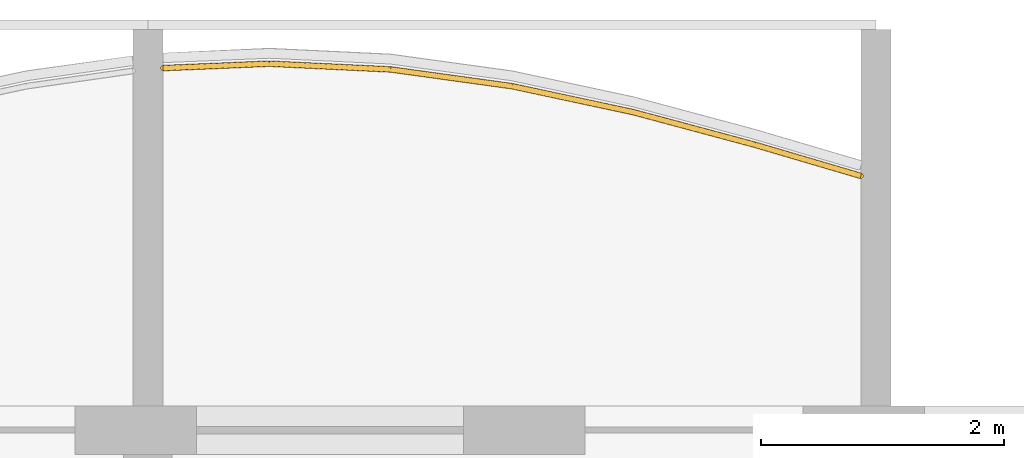
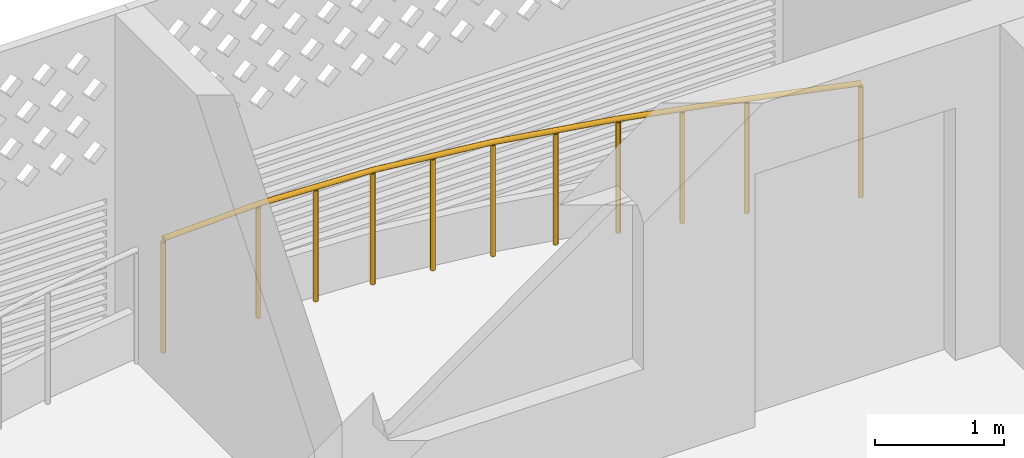
# One storey, part 22 of 40: 1 railing.
"""IFC4 building model written with IfcOpenShell, lengths in metres."""

from ifc_helpers import new_model, si_unit, direction, frame, origin, origin_2d, place, context, subcontext, project, spatial, circle, extrude, material, type_object, element, save


model = new_model("IFC4")

# Units and contexts
model_context = context("Model", 3, precision=1e-05, world=origin(), true_north=direction((0.0, 1.0)))
body_context = subcontext(model_context, "Body", "Model", "MODEL_VIEW")
ifc_project = project(units=[si_unit("LENGTHUNIT", "METRE"), si_unit("AREAUNIT", "SQUARE_METRE"), si_unit("VOLUMEUNIT", "CUBIC_METRE"), si_unit("PLANEANGLEUNIT", "RADIAN"), si_unit("MASSUNIT", "GRAM", prefix="KILO")], contexts=[model_context])

# Site, building, storey
site_placement = place(None, origin())
site = spatial("IfcSite", under=ifc_project, at=site_placement, CompositionType="ELEMENT")
building_placement = place(site_placement, origin())
building = spatial("IfcBuilding", under=site, at=building_placement, Name="Poui Terraces", CompositionType="ELEMENT")
storey_placement = place(building_placement, frame((0.0, 0.0, 33.300048828125)))
storey = spatial("IfcBuildingStorey", under=building, at=storey_placement, Name="L08", CompositionType="ELEMENT", Elevation=33.300048828125)

# Railing
ifc_material = material(Name="Painted steel fretwork", Category="steel")
railing_type = type_object("IfcRailingType", Name="BALCONY GUARD 1100", PredefinedType="GUARDRAIL", material=ifc_material)
railing_placement = place(storey_placement, frame((12.125, 47.783447265625, 0.0)))
element("IfcRailing", 1, at=railing_placement, inside=storey, type_object=railing_type, Name="BALCONY GUARD", PredefinedType="GUARDRAIL", context=body_context, shape_type="SweptSolid", body=[
    extrude(circle(Radius=0.02392578125, at=origin_2d()), frame((0.0, 0.0, 1.076171875), z_axis=(0.999125325571, 0.041816071104, 0.0), x_axis=(-0.041816071104, 0.999125325571, 0.0)), (0.0, 0.0, 1.0), 0.875732421875),
    extrude(circle(Radius=0.02392578125, at=origin_2d()), frame((0.875, 0.03662109375, 1.076171875), z_axis=(0.998868689387, -0.047553563093, 0.0), x_axis=(0.047553563093, 0.998868689387, 0.0)), (0.0, 0.0, 1.0), 1.001220703125),
    extrude(circle(Radius=0.02392578125, at=origin_2d()), frame((1.875, -0.010986328125, 1.076171875), z_axis=(0.990620000385, -0.136645581108, 0.0), x_axis=(0.136645581108, 0.990620000385, 0.0)), (0.0, 0.0, 1.0), 1.009521484375),
    extrude(circle(Radius=0.02392578125, at=origin_2d()), frame((2.875, -0.14892578125, 1.076171875), z_axis=(0.977837336556, -0.20936605082, 0.0), x_axis=(0.20936605082, 0.977837336556, 0.0)), (0.0, 0.0, 1.0), 1.022705078125),
    extrude(circle(Radius=0.02392578125, at=origin_2d()), frame((3.875, -0.363037109375, 1.076171875), z_axis=(0.965897516379, -0.258924676022, 0.0), x_axis=(0.258924676022, 0.965897516379, 0.0)), (0.0, 0.0, 1.0), 1.035400390625),
    extrude(circle(Radius=0.02392578125, at=origin_2d()), frame((4.875, -0.631103515625, 1.076171875), z_axis=(0.959374026053, -0.282137339135, 0.0), x_axis=(0.282137339135, 0.959374026053, 0.0)), (0.0, 0.0, 1.0), 0.912109375),
    extrude(circle(Radius=0.02099609375, at=origin_2d()), origin(), (0.0, 0.0, 1.0), 1.052001953125),
    extrude(circle(Radius=0.02099609375, at=origin_2d()), frame((0.875, 0.03662109375, 0.0)), (0.0, 0.0, 1.0), 1.052001953125),
    extrude(circle(Radius=0.02099609375, at=origin_2d()), frame((1.375, 0.0126953125, 0.0)), (0.0, 0.0, 1.0), 1.052001953125),
    extrude(circle(Radius=0.02099609375, at=origin_2d()), frame((1.875, -0.010986328125, 0.0)), (0.0, 0.0, 1.0), 1.052001953125),
    extrude(circle(Radius=0.02099609375, at=origin_2d()), frame((2.375, -0.080078125, 0.0)), (0.0, 0.0, 1.0), 1.052001953125),
    extrude(circle(Radius=0.02099609375, at=origin_2d()), frame((2.875, -0.14892578125, 0.0)), (0.0, 0.0, 1.0), 1.052001953125),
    extrude(circle(Radius=0.02099609375, at=origin_2d()), frame((3.375, -0.255859375, 0.0)), (0.0, 0.0, 1.0), 1.052001953125),
    extrude(circle(Radius=0.02099609375, at=origin_2d()), frame((3.875, -0.363037109375, 0.0)), (0.0, 0.0, 1.0), 1.052001953125),
    extrude(circle(Radius=0.02099609375, at=origin_2d()), frame((4.375, -0.4970703125, 0.0)), (0.0, 0.0, 1.0), 1.052001953125),
    extrude(circle(Radius=0.02099609375, at=origin_2d()), frame((4.875, -0.631103515625, 0.0)), (0.0, 0.0, 1.0), 1.052001953125),
    extrude(circle(Radius=0.02099609375, at=origin_2d()), frame((5.75, -0.888427734375, 0.0)), (0.0, 0.0, 1.0), 1.052001953125),
])

save(model, "model.ifc")
